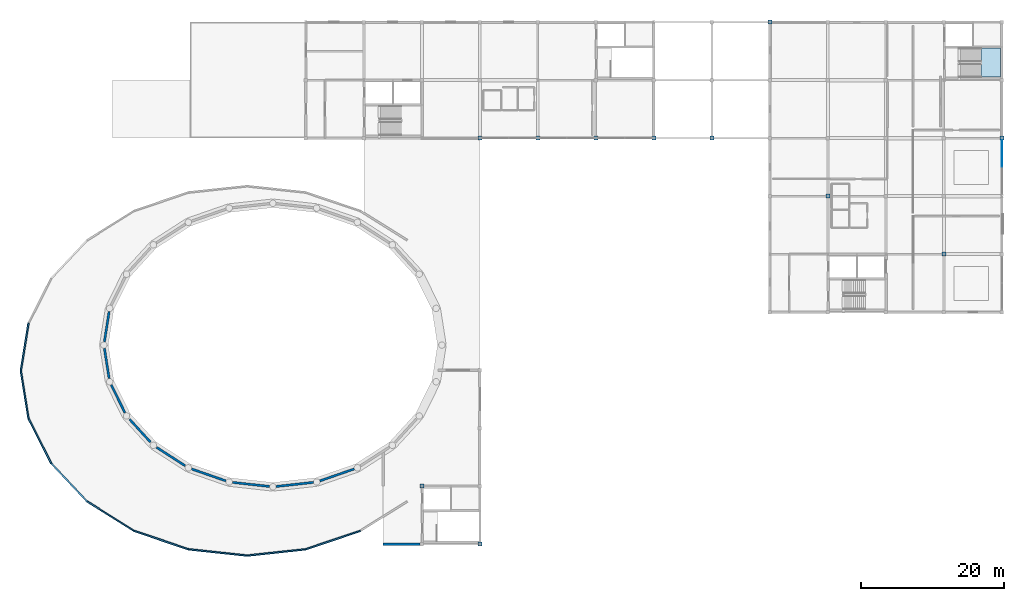
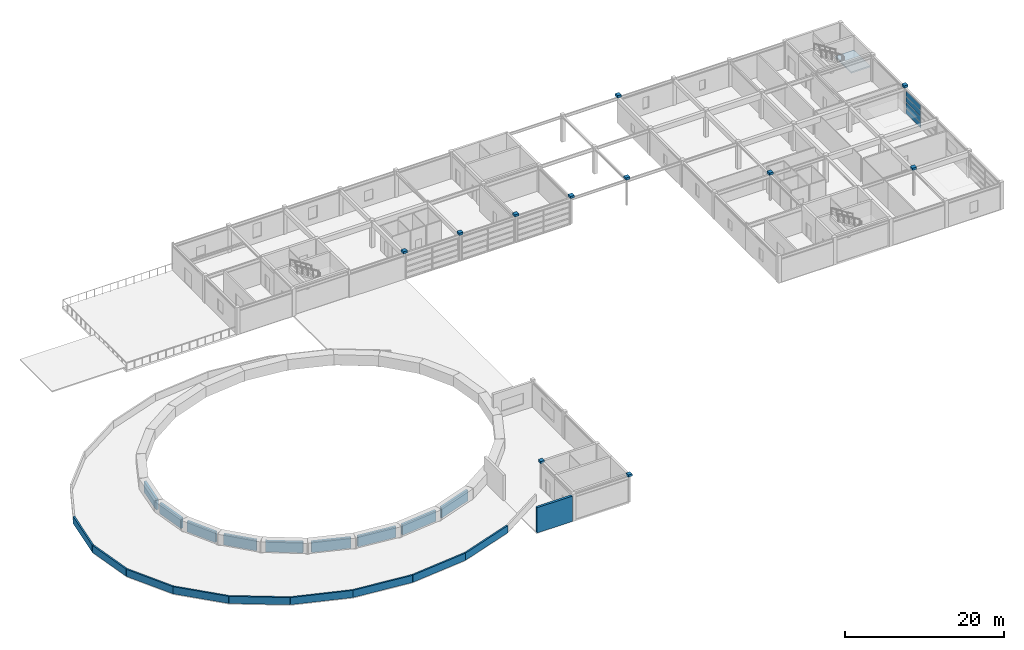
# One storey, part 15 of 26: 19 walls, 15 plates, 1 slab, 2 elements without a shape of their own.
"""IFC4 building model written with IfcOpenShell, lengths in metres."""

from ifc_helpers import new_model, si_unit, direction, frame, frame_2d, origin, origin_2d, place, context, subcontext, project, spatial, polyline, rectangle, outline, extrude, material, layer, layer_set, type_object, element, aggregate, save


model = new_model("IFC4")

# Units and contexts
model_context = context("Model", 3, precision=1e-05, world=origin(), true_north=direction((0.0, 1.0)))
body_context = subcontext(model_context, "Body", "Model", "MODEL_VIEW")
ifc_project = project(units=[si_unit("LENGTHUNIT", "METRE"), si_unit("AREAUNIT", "SQUARE_METRE"), si_unit("VOLUMEUNIT", "CUBIC_METRE"), si_unit("PLANEANGLEUNIT", "RADIAN"), si_unit("MASSUNIT", "GRAM", prefix="KILO")], contexts=[model_context])

# Site, building, storey
site_placement = place(None, origin())
site = spatial("IfcSite", under=ifc_project, at=site_placement, CompositionType="ELEMENT")
building_placement = place(site_placement, origin())
building = spatial("IfcBuilding", under=site, at=building_placement, Name="Parian Resonance Hall", CompositionType="ELEMENT")
storey_placement = place(building_placement, frame((0.0, 0.0, 19.199951171875)))
storey = spatial("IfcBuildingStorey", under=building, at=storey_placement, Name="L04", CompositionType="ELEMENT", Elevation=19.199951171875)

# Curtain wall, plates
ifc_material_1 = material(Name="Bronze-anodised aluminium frame", Category="aluminium")
curtain_wall_type = type_object("IfcCurtainWallType", Name="CW-SYS-03", PredefinedType="NOTDEFINED", material=ifc_material_1)
curtain_wall_placement = place(storey_placement, origin())
curtain_wall = element("IfcCurtainWall", 1, at=curtain_wall_placement, inside=storey, type_object=curtain_wall_type, Name="Curtain wall CW-L04-151", PredefinedType="NOTDEFINED")
ifc_material_2 = material(Name="Acoustic laminated double glazing", Category="glass")
ifc_layer_1 = layer(ifc_material_2, 0.031982421875)
ifc_layer_set_1 = layer_set([ifc_layer_1], Name="Acoustic laminated double glazing")
plate_type_1 = type_object("IfcPlateType", Name="CWP-IGU32", PredefinedType="CURTAIN_PANEL", material=ifc_layer_set_1)
plate_1_placement = place(storey_placement, frame((145.800048828125, 70.763427734375, 0.05712890625), z_axis=(0.0, 0.0, 1.0), x_axis=(0.0, -1.0, 0.0)))
plate_1 = element("IfcPlate", 2, at=plate_1_placement, type_object=plate_type_1, Name="CW-03 panel 1.1", PredefinedType="CURTAIN_PANEL", context=body_context, shape_type="SweptSolid", body=[
    extrude(rectangle(XDim=3.73291015625, YDim=0.031982421875, at=origin_2d()), origin(), (0.0, 0.0, 1.0), 0.809814453125),
])
plate_2_placement = place(storey_placement, frame((145.800048828125, 70.763427734375, 0.931640625), z_axis=(0.0, 0.0, 1.0), x_axis=(0.0, -1.0, 0.0)))
plate_2 = element("IfcPlate", 3, at=plate_2_placement, type_object=plate_type_1, Name="CW-03 panel 1.2", PredefinedType="CURTAIN_PANEL", context=body_context, shape_type="SweptSolid", body=[
    extrude(rectangle(XDim=3.73291015625, YDim=0.031982421875, at=origin_2d()), origin(), (0.0, 0.0, 1.0), 0.834228515625),
])
plate_3_placement = place(storey_placement, frame((145.800048828125, 70.763427734375, 1.8310546875), z_axis=(0.0, 0.0, 1.0), x_axis=(0.0, -1.0, 0.0)))
plate_3 = element("IfcPlate", 4, at=plate_3_placement, type_object=plate_type_1, Name="CW-03 panel 1.3", PredefinedType="CURTAIN_PANEL", context=body_context, shape_type="SweptSolid", body=[
    extrude(rectangle(XDim=3.73291015625, YDim=0.031982421875, at=origin_2d()), origin(), (0.0, 0.0, 1.0), 0.834228515625),
])
plate_4_placement = place(storey_placement, frame((145.800048828125, 70.763427734375, 2.73046875), z_axis=(0.0, 0.0, 1.0), x_axis=(0.0, -1.0, 0.0)))
plate_4 = element("IfcPlate", 5, at=plate_4_placement, type_object=plate_type_1, Name="CW-03 panel 1.4", PredefinedType="CURTAIN_PANEL", context=body_context, shape_type="SweptSolid", body=[
    extrude(rectangle(XDim=3.73291015625, YDim=0.031982421875, at=origin_2d()), origin(), (0.0, 0.0, 1.0), 0.811767578125),
])
aggregate(curtain_wall, [plate_1, plate_2, plate_3, plate_4])

# Plates
ifc_material_3 = material(Name="Steel S355", Category="steel")
ifc_layer_2 = layer(ifc_material_3, 0.340087890625)
ifc_layer_set_2 = layer_set([ifc_layer_2], Name="Steel S355")
plate_type_2 = type_object("IfcPlateType", Name="PLT-CAP-500", PredefinedType="SHEET", material=ifc_layer_set_2)
for number, where, z_axis, x_axis, name in (
    (6, (64.800048828125, 24.300048828125, 4.02978515625), (0.0, 0.0, 1.0), (1.0, 0.0, 0.0), "Steel hollow-section node closure block 0273"),
    (7, (72.89990234375, 16.199951171875, 4.02978515625), (0.0, 0.0, 1.0), (1.0, 0.0, 0.0), "Steel hollow-section node closure block 0282"),
    (8, (72.89990234375, 72.89990234375, 4.02978515625), (0.0, 0.0, 1.0), (1.0, 0.0, 0.0), "Steel hollow-section node closure block 0285"),
    (9, (81.0, 72.89990234375, 4.02978515625), (0.0, 0.0, 1.0), (1.0, 0.0, 0.0), "Steel hollow-section node closure block 0297"),
    (10, (89.10009765625, 72.89990234375, 4.02978515625), (0.0, 0.0, 1.0), (1.0, 0.0, 0.0), "Steel hollow-section node closure block 0309"),
    (11, (97.199951171875, 72.89990234375, 4.02978515625), (0.0, 0.0, 1.0), (1.0, 0.0, 0.0), "Steel hollow-section node closure block 0321"),
    (12, (105.300048828125, 72.89990234375, 4.02978515625), (0.0, 0.0, 1.0), (1.0, 0.0, 0.0), "Steel hollow-section node closure block 0325"),
    (13, (121.5, 64.800048828125, 4.02978515625), (0.0, 0.0, 1.0), (1.0, 0.0, 0.0), "Steel hollow-section node closure block 0333"),
    (14, (137.699951171875, 56.699951171875, 4.02978515625), (0.0, 0.0, 1.0), (1.0, 0.0, 0.0), "Steel hollow-section node closure block 0337"),
):
    element("IfcPlate", number, at=place(storey_placement, frame(where, z_axis=z_axis, x_axis=x_axis)), inside=storey, type_object=plate_type_2, Name=name, PredefinedType="SHEET", context=body_context, shape_type="SweptSolid", body=[
        extrude(rectangle(XDim=0.580078125, YDim=0.580078125, at=origin_2d()), origin(), (0.0, 0.0, 1.0), 0.340087890625),
    ])
ifc_material_4 = material(Name="Steel S355", Category="steel")
ifc_layer_3 = layer(ifc_material_4, 0.360107421875)
ifc_layer_set_3 = layer_set([ifc_layer_3], Name="Steel S355")
plate_type_3 = type_object("IfcPlateType", Name="PLT-GUS-520", PredefinedType="USERDEFINED", material=ifc_layer_set_3)
for number, where, z_axis, x_axis, name in (
    (15, (113.39990234375, 89.10009765625, 4.02001953125), (0.0, 0.0, 1.0), (1.0, 0.0, 0.0), "Steel hollow-section node closure block 0329"),
    (16, (145.800048828125, 72.89990234375, 4.02001953125), (0.0, 0.0, 1.0), (1.0, 0.0, 0.0), "Steel hollow-section node closure block 0341"),
):
    element("IfcPlate", number, at=place(storey_placement, frame(where, z_axis=z_axis, x_axis=x_axis)), inside=storey, type_object=plate_type_3, Name=name, ObjectType="GUSSET PLATE", PredefinedType="USERDEFINED", context=body_context, shape_type="SweptSolid", body=[
        extrude(rectangle(XDim=0.580078125, YDim=0.580078125, at=origin_2d()), origin(), (0.0, 0.0, 1.0), 0.360107421875),
    ])

# Stair, slab
ifc_material_5 = material(Name="Concrete C40/50", Category="concrete")
stair_type = type_object("IfcStairType", Name="STAIR-CORE-1800", PredefinedType="HALF_TURN_STAIR", material=ifc_material_5)
stair_placement = place(storey_placement, origin())
stair = element("IfcStair", 17, at=stair_placement, inside=storey, type_object=stair_type, Name="L04 ST-06", PredefinedType="HALF_TURN_STAIR")
ifc_material_6 = material(Name="Concrete C40/50", Category="concrete")
ifc_layer_4 = layer(ifc_material_6, 0.199951171875)
ifc_layer_set_4 = layer_set([ifc_layer_4], Name="Concrete C40/50")
slab_type = type_object("IfcSlabType", Name="SLB-LANDING-200", PredefinedType="LANDING", material=ifc_layer_set_4)
slab_placement = place(storey_placement, frame((0.0, 0.0, 1.900146484375)))
slab = element("IfcSlab", 18, at=slab_placement, type_object=slab_type, Name="ST-06 landing 1", PredefinedType="LANDING", context=body_context, shape_type="SweptSolid", body=[
    extrude(outline(polyline([(142.89990234375, 81.39990234375), (145.6201171875, 81.39990234375), (145.6201171875, 85.4599609375), (142.89990234375, 85.4599609375), (142.89990234375, 81.39990234375)])), origin(), (0.0, 0.0, 1.0), 0.199951171875),
])
aggregate(stair, [slab])

# Walls
ifc_material_7 = material(Name="Concrete C35/45 parapet", Category="concrete")
ifc_layer_5 = layer(ifc_material_7, 0.22998046875)
ifc_layer_set_5 = layer_set([ifc_layer_5], Name="Concrete C35/45 parapet")
wall_type_1 = type_object("IfcWallType", Name="EW-PAR-230", PredefinedType="PARAPET", material=ifc_layer_set_5)
for number, where, z_axis, x_axis, name in (
    (19, (8.800048828125, 40.39990234375, 0.0), (0.0, 0.0, 1.0), (0.159181370366, 0.987249356206, 0.0), "Elliptical Ring 3 roof parapet 12"),
    (20, (9.876708984375, 33.722412109375, 0.0), (0.0, 0.0, 1.0), (-0.159181370366, 0.987249356206, 0.0), "Elliptical Ring 3 roof parapet 13"),
):
    element("IfcWall", number, at=place(storey_placement, frame(where, z_axis=z_axis, x_axis=x_axis)), inside=storey, type_object=wall_type_1, Name=name, PredefinedType="PARAPET", context=body_context, shape_type="SweptSolid", body=[
        extrude(rectangle(XDim=6.763671875, YDim=0.22998046875, at=frame_2d((3.3818359375, 0.0))), origin(), (0.0, 0.0, 1.0), 1.10009765625),
    ])
wall_1_placement = place(storey_placement, frame((13.03369140625, 27.5, 0.0), z_axis=(0.0, 0.0, 1.0), x_axis=(-0.452454380739, 0.891787549448, 0.0)))
element("IfcWall", 21, at=wall_1_placement, inside=storey, type_object=wall_type_1, Name="Elliptical Ring 3 roof parapet 14", PredefinedType="PARAPET", context=body_context, shape_type="SweptSolid", body=[
    extrude(rectangle(XDim=6.9775390625, YDim=0.22998046875, at=frame_2d((3.48876953125, 0.0))), origin(), (0.0, 0.0, 1.0), 1.10009765625),
])
wall_2_placement = place(storey_placement, frame((18.055419921875, 22.156494140625, 0.0), z_axis=(0.0, 0.0, 1.0), x_axis=(-0.684825514035, 0.728707084724, 0.0)))
element("IfcWall", 22, at=wall_2_placement, inside=storey, type_object=wall_type_1, Name="Elliptical Ring 3 roof parapet 15", PredefinedType="PARAPET", context=body_context, shape_type="SweptSolid", body=[
    extrude(rectangle(XDim=7.332763671875, YDim=0.22998046875, at=frame_2d((3.66650390625, 0.0))), origin(), (0.0, 0.0, 1.0), 1.10009765625),
])
wall_3_placement = place(storey_placement, frame((24.60009765625, 18.056396484375, 0.0), z_axis=(0.0, 0.0, 1.0), x_axis=(-0.847434839889, 0.530899418103, 0.0)))
element("IfcWall", 23, at=wall_3_placement, inside=storey, type_object=wall_type_1, Name="Elliptical Ring 3 roof parapet 16", PredefinedType="PARAPET", context=body_context, shape_type="SweptSolid", body=[
    extrude(rectangle(XDim=7.722900390625, YDim=0.22998046875, at=frame_2d((3.861328125, 0.0))), origin(), (0.0, 0.0, 1.0), 1.10009765625),
])
wall_4_placement = place(storey_placement, frame((32.22119140625, 15.47900390625, 0.0), z_axis=(0.0, 0.0, 1.0), x_axis=(-0.947293493077, 0.320367036341, 0.0)))
element("IfcWall", 24, at=wall_4_placement, inside=storey, type_object=wall_type_1, Name="Elliptical Ring 3 roof parapet 17", PredefinedType="PARAPET", context=body_context, shape_type="SweptSolid", body=[
    extrude(rectangle(XDim=8.045166015625, YDim=0.22998046875, at=frame_2d((4.0224609375, 0.0))), origin(), (0.0, 0.0, 1.0), 1.10009765625),
])
for number, where, z_axis, x_axis, name in (
    (25, (40.39990234375, 14.60009765625, 0.0), (0.0, 0.0, 1.0), (-0.99427541963, 0.106847507781, 0.0), "Elliptical Ring 3 roof parapet 18"),
    (26, (48.57861328125, 15.47900390625, 0.0), (0.0, 0.0, 1.0), (-0.99427541963, -0.106847507781, 0.0), "Elliptical Ring 3 roof parapet 19"),
):
    element("IfcWall", number, at=place(storey_placement, frame(where, z_axis=z_axis, x_axis=x_axis)), inside=storey, type_object=wall_type_1, Name=name, PredefinedType="PARAPET", context=body_context, shape_type="SweptSolid", body=[
        extrude(rectangle(XDim=8.225830078125, YDim=0.22998046875, at=frame_2d((4.11279296875, 0.0))), origin(), (0.0, 0.0, 1.0), 1.10009765625),
    ])
wall_5_placement = place(storey_placement, frame((56.199951171875, 18.056396484375, 0.0), z_axis=(0.0, 0.0, 1.0), x_axis=(-0.947296607548, -0.320357827013, 0.0)))
element("IfcWall", 27, at=wall_5_placement, inside=storey, type_object=wall_type_1, Name="Elliptical Ring 3 roof parapet 20", PredefinedType="PARAPET", context=body_context, shape_type="SweptSolid", body=[
    extrude(rectangle(XDim=8.04541015625, YDim=0.22998046875, at=frame_2d((4.022705078125, 0.0))), origin(), (0.0, 0.0, 1.0), 1.10009765625),
])
ifc_material_8 = material(Name="Concrete C35/45 with white lime plaster and polychrome mosaic", Category="concrete")
ifc_layer_6 = layer(ifc_material_8, 0.320068359375)
ifc_layer_set_6 = layer_set([ifc_layer_6], Name="Concrete C35/45 with white lime plaster and polychrome mosaic")
wall_type_2 = type_object("IfcWallType", Name="EW-RING-320", PredefinedType="SOLIDWALL", material=ifc_layer_set_6)
for number, where, z_axis, x_axis, name in (
    (28, (20.470703125, 44.449951171875, 0.0), (0.0, 0.0, 1.0), (0.155003823242, 0.987913870122, 0.0), "Upper concert drum wall 12"),
    (29, (21.133544921875, 39.325439453125, 0.0), (0.0, 0.0, 1.0), (-0.155003823242, 0.987913870122, 0.0), "Upper concert drum wall 13"),
):
    element("IfcWall", number, at=place(storey_placement, frame(where, z_axis=z_axis, x_axis=x_axis)), inside=storey, type_object=wall_type_2, Name=name, PredefinedType="SOLIDWALL", context=body_context, shape_type="SweptSolid", body=[
        extrude(rectangle(XDim=4.2763671875, YDim=0.320068359375, at=frame_2d((2.13818359375, 0.0))), origin(), (0.0, 0.0, 1.0), 1.650146484375),
    ])
wall_6_placement = place(storey_placement, frame((23.339599609375, 34.550048828125, 0.0), z_axis=(0.0, 0.0, 1.0), x_axis=(-0.44266592796, 0.896686609816, 0.0)))
element("IfcWall", 30, at=wall_6_placement, inside=storey, type_object=wall_type_2, Name="Upper concert drum wall 14", PredefinedType="SOLIDWALL", context=body_context, shape_type="SweptSolid", body=[
    extrude(rectangle(XDim=4.32177734375, YDim=0.320068359375, at=frame_2d((2.160888671875, 0.0))), origin(), (0.0, 0.0, 1.0), 1.650146484375),
])
wall_7_placement = place(storey_placement, frame((26.900634765625, 30.44921875, 0.0), z_axis=(0.0, 0.0, 1.0), x_axis=(-0.674883067273, 0.737924688236, 0.0)))
element("IfcWall", 31, at=wall_7_placement, inside=storey, type_object=wall_type_2, Name="Upper concert drum wall 15", PredefinedType="SOLIDWALL", context=body_context, shape_type="SweptSolid", body=[
    extrude(rectangle(XDim=4.33740234375, YDim=0.320068359375, at=frame_2d((2.168701171875, 0.0))), origin(), (0.0, 0.0, 1.0), 1.650146484375),
])
wall_8_placement = place(storey_placement, frame((31.75, 27.142333984375, 0.0), z_axis=(0.0, 0.0, 1.0), x_axis=(-0.840813675954, 0.541324636729, 0.0)))
element("IfcWall", 32, at=wall_8_placement, inside=storey, type_object=wall_type_2, Name="Upper concert drum wall 16", PredefinedType="SOLIDWALL", context=body_context, shape_type="SweptSolid", body=[
    extrude(rectangle(XDim=4.74267578125, YDim=0.320068359375, at=frame_2d((2.371337890625, 0.0))), origin(), (0.0, 0.0, 1.0), 1.650146484375),
])
wall_9_placement = place(storey_placement, frame((37.44189453125, 25.031005859375, 0.0), z_axis=(0.0, 0.0, 1.0), x_axis=(-0.944588302148, 0.32825742862, 0.0)))
element("IfcWall", 33, at=wall_9_placement, inside=storey, type_object=wall_type_2, Name="Upper concert drum wall 17", PredefinedType="SOLIDWALL", context=body_context, shape_type="SweptSolid", body=[
    extrude(rectangle(XDim=5.072998046875, YDim=0.320068359375, at=frame_2d((2.53662109375, 0.0))), origin(), (0.0, 0.0, 1.0), 1.650146484375),
])
for number, where, z_axis, x_axis, name in (
    (34, (43.550048828125, 24.249755859375, 0.0), (0.0, 0.0, 1.0), (-0.993956813629, 0.10977182079, 0.0), "Upper concert drum wall 18"),
    (35, (49.658203125, 24.824951171875, 0.0), (0.0, 0.0, 1.0), (-0.993956813629, -0.10977182079, 0.0), "Upper concert drum wall 19"),
):
    element("IfcWall", number, at=place(storey_placement, frame(where, z_axis=z_axis, x_axis=x_axis)), inside=storey, type_object=wall_type_2, Name=name, PredefinedType="SOLIDWALL", context=body_context, shape_type="SweptSolid", body=[
        extrude(rectangle(XDim=5.239990234375, YDim=0.320068359375, at=frame_2d((2.6201171875, 0.0))), origin(), (0.0, 0.0, 1.0), 1.650146484375),
    ])
wall_10_placement = place(storey_placement, frame((55.35009765625, 26.6962890625, 0.0), z_axis=(0.0, 0.0, 1.0), x_axis=(-0.944588302148, -0.32825742862, 0.0)))
element("IfcWall", 36, at=wall_10_placement, inside=storey, type_object=wall_type_2, Name="Upper concert drum wall 20", PredefinedType="SOLIDWALL", context=body_context, shape_type="SweptSolid", body=[
    extrude(rectangle(XDim=5.072998046875, YDim=0.320068359375, at=frame_2d((2.53662109375, 0.0))), origin(), (0.0, 0.0, 1.0), 1.650146484375),
])
ifc_material_9 = material(Name="Concrete C35/45 with Carcar coral-limestone ashlar", Category="masonry")
ifc_layer_7 = layer(ifc_material_9, 0.340087890625)
ifc_layer_set_7 = layer_set([ifc_layer_7], Name="Concrete C35/45 with Carcar coral-limestone ashlar")
wall_type_3 = type_object("IfcWallType", Name="EW-STONE-340", PredefinedType="SOLIDWALL", material=ifc_layer_set_7)
wall_11_placement = place(storey_placement, frame((59.39990234375, 16.199951171875, 0.0), z_axis=(0.0, 0.0, 1.0), x_axis=(1.0, 0.0, 0.0)))
element("IfcWall", 37, at=wall_11_placement, inside=storey, type_object=wall_type_3, Name="Perimeter closure wall L04", PredefinedType="SOLIDWALL", context=body_context, shape_type="SweptSolid", body=[
    extrude(rectangle(XDim=5.150146484375, YDim=0.340087890625, at=frame_2d((2.5751953125, 0.0))), origin(), (0.0, 0.0, 1.0), 3.900146484375),
])

save(model, "model.ifc")
